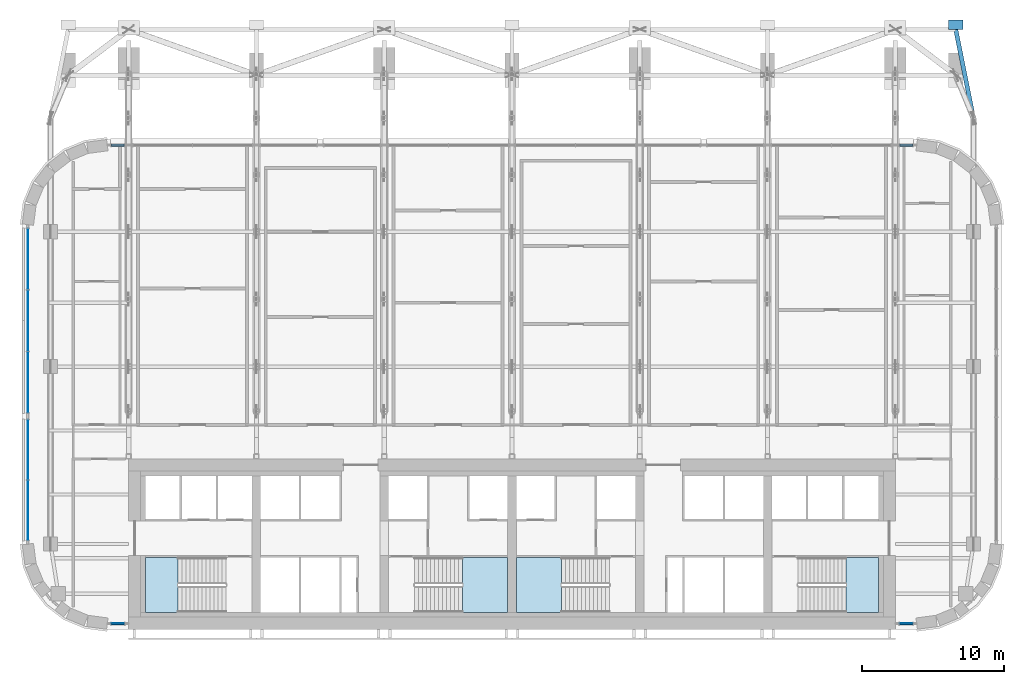
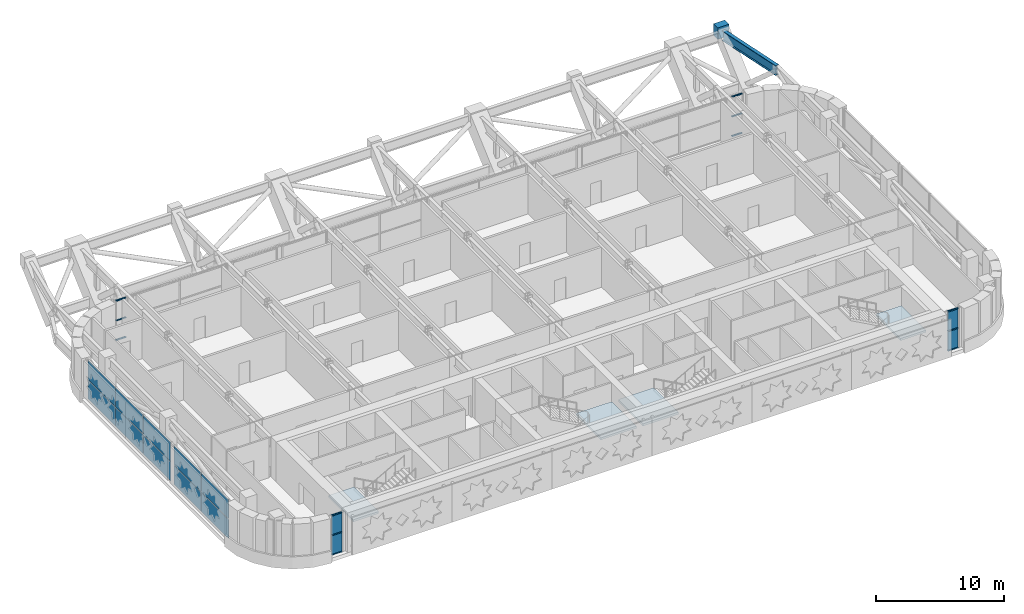
# One storey, part 10 of 23: 14 plates, 13 members, 4 slabs, 1 beam, 10 elements without a shape of their own.
"""IFC4 building model written with IfcOpenShell, lengths in metres."""

from ifc_helpers import new_model, si_unit, direction, frame, origin, origin_2d, place, context, subcontext, project, spatial, polyline, rectangle, i_section, outline, extrude, material, layer, layer_set, material_profile, profile_set, type_object, element, aggregate, save


model = new_model("IFC4")

# Units and contexts
model_context = context("Model", 3, precision=1e-05, world=origin(), true_north=direction((0.0, 1.0)))
body_context = subcontext(model_context, "Body", "Model", "MODEL_VIEW")
ifc_project = project(units=[si_unit("LENGTHUNIT", "METRE"), si_unit("AREAUNIT", "SQUARE_METRE"), si_unit("VOLUMEUNIT", "CUBIC_METRE"), si_unit("PLANEANGLEUNIT", "RADIAN"), si_unit("MASSUNIT", "GRAM", prefix="KILO")], contexts=[model_context])

# Site, building, storey
site_placement = place(None, origin())
site = spatial("IfcSite", under=ifc_project, at=site_placement, CompositionType="ELEMENT")
building_placement = place(site_placement, origin())
building = spatial("IfcBuilding", under=site, at=building_placement, Name="Zellij Exchange Tower", CompositionType="ELEMENT")
storey_placement = place(building_placement, frame((0.0, 0.0, 160.5)))
storey = spatial("IfcBuildingStorey", under=building, at=storey_placement, Name="L36", CompositionType="ELEMENT", Elevation=160.5)

# Curtain wall, members
ifc_material_1 = material(Name="Aluminium frame, clear insulating glass", Category="aluminium")
curtain_wall_type = type_object("IfcCurtainWallType", Name="ENV-CW2 Outrigger-storey glazing", PredefinedType="NOTDEFINED", material=ifc_material_1)
curtain_wall_1_placement = place(storey_placement, origin())
curtain_wall_1 = element("IfcCurtainWall", 1, at=curtain_wall_1_placement, inside=storey, type_object=curtain_wall_type, Name="cw.L36.00a", PredefinedType="NOTDEFINED")
ifc_material_2 = material(Name="Aluminium", Category="aluminium")
ifc_material_profile_1 = material_profile(ifc_material_2, rectangle(XDim=0.139892578125, YDim=0.06005859375, at=origin_2d()), Name="AL 140x60")
ifc_profile_set_1 = profile_set([ifc_material_profile_1], Name="Aluminium")
member_type_1 = type_object("IfcMemberType", Name="ENV-CW2T Transom 140x60", PredefinedType="USERDEFINED", material=ifc_profile_set_1)
member_1_placement = place(storey_placement, frame((-28.2138671875, -13.60009765625, 0.030029296875), z_axis=(1.0, 0.0, 0.0), x_axis=(0.0, 1.0, 0.0)))
member_1 = element("IfcMember", 2, at=member_1_placement, type_object=member_type_1, Name="CW2 transom 1.1", ObjectType="TRANSOM", PredefinedType="USERDEFINED", context=body_context, shape_type="SweptSolid", body=[
    extrude(rectangle(XDim=0.139892578125, YDim=0.06005859375, at=origin_2d()), origin(), (0.0, 0.0, 1.0), 0.90380859375),
])
member_2_placement = place(storey_placement, frame((-28.2138671875, -13.60009765625, 1.89990234375), z_axis=(1.0, 0.0, 0.0), x_axis=(0.0, 1.0, 0.0)))
member_2 = element("IfcMember", 3, at=member_2_placement, type_object=member_type_1, Name="CW2 transom 1.2", ObjectType="TRANSOM", PredefinedType="USERDEFINED", context=body_context, shape_type="SweptSolid", body=[
    extrude(rectangle(XDim=0.139892578125, YDim=0.06005859375, at=origin_2d()), origin(), (0.0, 0.0, 1.0), 0.90380859375),
])
member_3_placement = place(storey_placement, frame((-28.2138671875, -13.60009765625, 3.77001953125), z_axis=(1.0, 0.0, 0.0), x_axis=(0.0, 1.0, 0.0)))
member_3 = element("IfcMember", 4, at=member_3_placement, type_object=member_type_1, Name="CW2 transom 1.3", ObjectType="TRANSOM", PredefinedType="USERDEFINED", context=body_context, shape_type="SweptSolid", body=[
    extrude(rectangle(XDim=0.139892578125, YDim=0.06005859375, at=origin_2d()), origin(), (0.0, 0.0, 1.0), 0.90380859375),
])

curtain_wall_2_placement = place(storey_placement, origin())
curtain_wall_2 = element("IfcCurtainWall", 5, at=curtain_wall_2_placement, inside=storey, type_object=curtain_wall_type, Name="cw.L36.00b", PredefinedType="NOTDEFINED")
member_4_placement = place(storey_placement, frame((27.31005859375, -13.60009765625, 0.030029296875), z_axis=(1.0, 0.0, 0.0), x_axis=(0.0, 1.0, 0.0)))
member_4 = element("IfcMember", 6, at=member_4_placement, type_object=member_type_1, Name="CW2 transom 1.1", ObjectType="TRANSOM", PredefinedType="USERDEFINED", context=body_context, shape_type="SweptSolid", body=[
    extrude(rectangle(XDim=0.139892578125, YDim=0.06005859375, at=origin_2d()), origin(), (0.0, 0.0, 1.0), 0.90380859375),
])
member_5_placement = place(storey_placement, frame((27.31005859375, -13.60009765625, 1.89990234375), z_axis=(1.0, 0.0, 0.0), x_axis=(0.0, 1.0, 0.0)))
member_5 = element("IfcMember", 7, at=member_5_placement, type_object=member_type_1, Name="CW2 transom 1.2", ObjectType="TRANSOM", PredefinedType="USERDEFINED", context=body_context, shape_type="SweptSolid", body=[
    extrude(rectangle(XDim=0.139892578125, YDim=0.06005859375, at=origin_2d()), origin(), (0.0, 0.0, 1.0), 0.90380859375),
])
member_6_placement = place(storey_placement, frame((27.31005859375, -13.60009765625, 3.77001953125), z_axis=(1.0, 0.0, 0.0), x_axis=(0.0, 1.0, 0.0)))
member_6 = element("IfcMember", 8, at=member_6_placement, type_object=member_type_1, Name="CW2 transom 1.3", ObjectType="TRANSOM", PredefinedType="USERDEFINED", context=body_context, shape_type="SweptSolid", body=[
    extrude(rectangle(XDim=0.139892578125, YDim=0.06005859375, at=origin_2d()), origin(), (0.0, 0.0, 1.0), 0.90380859375),
])

curtain_wall_3_placement = place(storey_placement, origin())
curtain_wall_3 = element("IfcCurtainWall", 9, at=curtain_wall_3_placement, inside=storey, type_object=curtain_wall_type, Name="cw.L36.14a.a", PredefinedType="NOTDEFINED")
member_7_placement = place(storey_placement, frame((28.2138671875, 20.10009765625, 0.030029296875), z_axis=(-1.0, 0.0, 0.0), x_axis=(0.0, -1.0, 0.0)))
member_7 = element("IfcMember", 10, at=member_7_placement, type_object=member_type_1, Name="CW2 transom 1.1", ObjectType="TRANSOM", PredefinedType="USERDEFINED", context=body_context, shape_type="SweptSolid", body=[
    extrude(rectangle(XDim=0.139892578125, YDim=0.06005859375, at=origin_2d()), origin(), (0.0, 0.0, 1.0), 0.904052734375),
])
member_8_placement = place(storey_placement, frame((28.2138671875, 20.10009765625, 1.89990234375), z_axis=(-1.0, 0.0, 0.0), x_axis=(0.0, -1.0, 0.0)))
member_8 = element("IfcMember", 11, at=member_8_placement, type_object=member_type_1, Name="CW2 transom 1.2", ObjectType="TRANSOM", PredefinedType="USERDEFINED", context=body_context, shape_type="SweptSolid", body=[
    extrude(rectangle(XDim=0.139892578125, YDim=0.06005859375, at=origin_2d()), origin(), (0.0, 0.0, 1.0), 0.904052734375),
])
member_9_placement = place(storey_placement, frame((28.2138671875, 20.10009765625, 3.77001953125), z_axis=(-1.0, 0.0, 0.0), x_axis=(0.0, -1.0, 0.0)))
member_9 = element("IfcMember", 12, at=member_9_placement, type_object=member_type_1, Name="CW2 transom 1.3", ObjectType="TRANSOM", PredefinedType="USERDEFINED", context=body_context, shape_type="SweptSolid", body=[
    extrude(rectangle(XDim=0.139892578125, YDim=0.06005859375, at=origin_2d()), origin(), (0.0, 0.0, 1.0), 0.904052734375),
])
aggregate(curtain_wall_3, [member_7, member_8, member_9])

curtain_wall_4_placement = place(storey_placement, origin())
curtain_wall_4 = element("IfcCurtainWall", 13, at=curtain_wall_4_placement, inside=storey, type_object=curtain_wall_type, Name="cw.L36.14d.c", PredefinedType="NOTDEFINED")
member_10_placement = place(storey_placement, frame((-27.309814453125, 20.10009765625, 0.030029296875), z_axis=(-1.0, 0.0, 0.0), x_axis=(0.0, -1.0, 0.0)))
member_10 = element("IfcMember", 14, at=member_10_placement, type_object=member_type_1, Name="CW2 transom 1.1", ObjectType="TRANSOM", PredefinedType="USERDEFINED", context=body_context, shape_type="SweptSolid", body=[
    extrude(rectangle(XDim=0.139892578125, YDim=0.06005859375, at=origin_2d()), origin(), (0.0, 0.0, 1.0), 0.904052734375),
])
member_11_placement = place(storey_placement, frame((-27.309814453125, 20.10009765625, 1.89990234375), z_axis=(-1.0, 0.0, 0.0), x_axis=(0.0, -1.0, 0.0)))
member_11 = element("IfcMember", 15, at=member_11_placement, type_object=member_type_1, Name="CW2 transom 1.2", ObjectType="TRANSOM", PredefinedType="USERDEFINED", context=body_context, shape_type="SweptSolid", body=[
    extrude(rectangle(XDim=0.139892578125, YDim=0.06005859375, at=origin_2d()), origin(), (0.0, 0.0, 1.0), 0.904052734375),
])
member_12_placement = place(storey_placement, frame((-27.309814453125, 20.10009765625, 3.77001953125), z_axis=(-1.0, 0.0, 0.0), x_axis=(0.0, -1.0, 0.0)))
member_12 = element("IfcMember", 16, at=member_12_placement, type_object=member_type_1, Name="CW2 transom 1.3", ObjectType="TRANSOM", PredefinedType="USERDEFINED", context=body_context, shape_type="SweptSolid", body=[
    extrude(rectangle(XDim=0.139892578125, YDim=0.06005859375, at=origin_2d()), origin(), (0.0, 0.0, 1.0), 0.904052734375),
])
aggregate(curtain_wall_4, [member_10, member_11, member_12])

# Member
ifc_material_3 = material(Name="Structural steel ASTM A992 Gr 50", Category="steel")
ifc_material_profile_2 = material_profile(ifc_material_3, i_section(OverallWidth=0.307373046875, OverallDepth=0.9423828125, WebThickness=0.022216796875, FlangeThickness=0.039794921875, at=origin_2d()), Name="W36x232")
ifc_profile_set_2 = profile_set([ifc_material_profile_2], Name="Structural steel ASTM A992 Gr 50")
member_type_2 = type_object("IfcMemberType", Name="STR-BELT TRUSS CHORD W36x232", PredefinedType="CHORD", material=ifc_profile_set_2)
member_13_placement = place(storey_placement, frame((32.5, 22.0, 3.328857421875), z_axis=(-0.19627094376, 0.980549701257, 0.0), x_axis=(-0.980549701257, -0.19627094376, 0.0)))
element("IfcMember", 17, at=member_13_placement, inside=storey, type_object=member_type_2, Name="BT1", PredefinedType="CHORD", context=body_context, shape_type="SweptSolid", body=[
    extrude(i_section(OverallWidth=0.307373046875, OverallDepth=0.9423828125, WebThickness=0.022216796875, FlangeThickness=0.039794921875, at=origin_2d()), origin(), (0.0, 0.0, 1.0), 6.36865234375),
])

# Beam
ifc_material_4 = material(Name="Concrete C60/75", Category="concrete")
ifc_material_profile_3 = material_profile(ifc_material_4, rectangle(XDim=1.0, YDim=1.10009765625, at=origin_2d()), Name="STR-KNUCKLE BLOCK RC1000x1100 C60/75")
ifc_profile_set_3 = profile_set([ifc_material_profile_3], Name="Concrete C60/75")
beam_type = type_object("IfcBeamType", Name="STR-KNUCKLE BLOCK RC1000x1100 C60/75", PredefinedType="BEAM", material=ifc_profile_set_3)
beam_placement = place(storey_placement, frame((31.25, 28.247314453125, 3.625), z_axis=(0.0, 1.0, 0.0), x_axis=(-1.0, 0.0, 0.0)))
element("IfcBeam", 18, at=beam_placement, inside=storey, type_object=beam_type, Name="KB3", PredefinedType="BEAM", context=body_context, shape_type="SweptSolid", body=[
    extrude(rectangle(XDim=1.0, YDim=1.10009765625, at=origin_2d()), origin(), (0.0, 0.0, 1.0), 0.66455078125),
])

# Stair, slab
ifc_material_5 = material(Name="Concrete C40/50", Category="concrete")
stair_type = type_object("IfcStairType", Name="CORE-ST exit stair 1850 wide", PredefinedType="HALF_TURN_STAIR", material=ifc_material_5)
stair_1_placement = place(storey_placement, origin())
stair_1 = element("IfcStair", 19, at=stair_1_placement, inside=storey, type_object=stair_type, Name="L36 exit stair ST1", PredefinedType="HALF_TURN_STAIR")
ifc_layer_1 = layer(ifc_material_5, 0.199951171875)
ifc_layer_set_1 = layer_set([ifc_layer_1], Name="Concrete C40/50")
slab_type = type_object("IfcSlabType", Name="CORE-SL stair landing 200", PredefinedType="LANDING", material=ifc_layer_set_1)
slab_1_placement = place(storey_placement, frame((0.0, 0.0, 1.800048828125)))
slab_1 = element("IfcSlab", 20, at=slab_1_placement, type_object=slab_type, Name="ST1 landing 1", PredefinedType="LANDING", context=body_context, shape_type="SweptSolid", body=[
    extrude(outline(polyline([(-23.510009765625, -8.949951171875), (-25.800048828125, -8.949951171875), (-25.800048828125, -12.800048828125), (-23.510009765625, -12.800048828125), (-23.510009765625, -8.949951171875)])), origin(), (0.0, 0.0, 1.0), 0.199951171875),
])
aggregate(stair_1, [slab_1])

stair_2_placement = place(storey_placement, origin())
stair_2 = element("IfcStair", 21, at=stair_2_placement, inside=storey, type_object=stair_type, Name="L36 exit stair ST2", PredefinedType="HALF_TURN_STAIR")
slab_2_placement = place(storey_placement, frame((0.0, 0.0, 1.800048828125)))
slab_2 = element("IfcSlab", 22, at=slab_2_placement, type_object=slab_type, Name="ST2 landing 1", PredefinedType="LANDING", context=body_context, shape_type="SweptSolid", body=[
    extrude(outline(polyline([(-3.489990234375, -12.800048828125), (-0.300048828125, -12.800048828125), (-0.300048828125, -8.949951171875), (-3.489990234375, -8.949951171875), (-3.489990234375, -12.800048828125)])), origin(), (0.0, 0.0, 1.0), 0.199951171875),
])
aggregate(stair_2, [slab_2])

stair_3_placement = place(storey_placement, origin())
stair_3 = element("IfcStair", 23, at=stair_3_placement, inside=storey, type_object=stair_type, Name="L36 exit stair ST3", PredefinedType="HALF_TURN_STAIR")
slab_3_placement = place(storey_placement, frame((0.0, 0.0, 1.800048828125)))
slab_3 = element("IfcSlab", 24, at=slab_3_placement, type_object=slab_type, Name="ST3 landing 1", PredefinedType="LANDING", context=body_context, shape_type="SweptSolid", body=[
    extrude(outline(polyline([(3.489990234375, -8.949951171875), (0.300048828125, -8.949951171875), (0.300048828125, -12.800048828125), (3.489990234375, -12.800048828125), (3.489990234375, -8.949951171875)])), origin(), (0.0, 0.0, 1.0), 0.199951171875),
])
aggregate(stair_3, [slab_3])

stair_4_placement = place(storey_placement, origin())
stair_4 = element("IfcStair", 25, at=stair_4_placement, inside=storey, type_object=stair_type, Name="L36 exit stair ST4", PredefinedType="HALF_TURN_STAIR")
slab_4_placement = place(storey_placement, frame((0.0, 0.0, 1.800048828125)))
slab_4 = element("IfcSlab", 26, at=slab_4_placement, type_object=slab_type, Name="ST4 landing 1", PredefinedType="LANDING", context=body_context, shape_type="SweptSolid", body=[
    extrude(outline(polyline([(23.510009765625, -12.800048828125), (25.800048828125, -12.800048828125), (25.800048828125, -8.949951171875), (23.510009765625, -8.949951171875), (23.510009765625, -12.800048828125)])), origin(), (0.0, 0.0, 1.0), 0.199951171875),
])
aggregate(stair_4, [slab_4])

# Curtain wall, plates
curtain_wall_5_placement = place(storey_placement, origin())
curtain_wall_5 = element("IfcCurtainWall", 27, at=curtain_wall_5_placement, inside=storey, type_object=curtain_wall_type, Name="cw.L36.21a", PredefinedType="NOTDEFINED")
ifc_material_6 = material(Name="Aluminium louvre", Category="aluminium")
ifc_layer_2 = layer(ifc_material_6, 0.031982421875)
ifc_layer_set_2 = layer_set([ifc_layer_2], Name="Aluminium louvre")
plate_type_1 = type_object("IfcPlateType", Name="ENV-CW2L Louvred panel 32", PredefinedType="CURTAIN_PANEL", material=ifc_layer_set_2)
plate_1_placement = place(storey_placement, frame((-34.10009765625, 12.080810546875, 0.06005859375), z_axis=(0.0, 0.0, 1.0), x_axis=(0.0, -1.0, 0.0)))
plate_1 = element("IfcPlate", 28, at=plate_1_placement, type_object=plate_type_1, Name="CW2 panel 1.1", PredefinedType="CURTAIN_PANEL", context=body_context, shape_type="SweptSolid", body=[
    extrude(rectangle(XDim=4.26611328125, YDim=0.031982421875, at=origin_2d()), origin(), (0.0, 0.0, 1.0), 1.81005859375),
])
plate_2_placement = place(storey_placement, frame((-34.10009765625, 7.739501953125, 0.06005859375), z_axis=(0.0, 0.0, 1.0), x_axis=(0.0, -1.0, 0.0)))
plate_2 = element("IfcPlate", 29, at=plate_2_placement, type_object=plate_type_1, Name="CW2 panel 2.1", PredefinedType="CURTAIN_PANEL", context=body_context, shape_type="SweptSolid", body=[
    extrude(rectangle(XDim=4.296142578125, YDim=0.031982421875, at=origin_2d()), origin(), (0.0, 0.0, 1.0), 1.81005859375),
])
plate_3_placement = place(storey_placement, frame((-34.10009765625, 7.739501953125, 1.929931640625), z_axis=(0.0, 0.0, 1.0), x_axis=(0.0, -1.0, 0.0)))
plate_3 = element("IfcPlate", 30, at=plate_3_placement, type_object=plate_type_1, Name="CW2 panel 2.2", PredefinedType="CURTAIN_PANEL", context=body_context, shape_type="SweptSolid", body=[
    extrude(rectangle(XDim=4.296142578125, YDim=0.031982421875, at=origin_2d()), origin(), (0.0, 0.0, 1.0), 1.81005859375),
])
plate_4_placement = place(storey_placement, frame((-34.10009765625, 3.3984375, 1.929931640625), z_axis=(0.0, 0.0, 1.0), x_axis=(0.0, -1.0, 0.0)))
plate_4 = element("IfcPlate", 31, at=plate_4_placement, type_object=plate_type_1, Name="CW2 panel 3.2", PredefinedType="CURTAIN_PANEL", context=body_context, shape_type="SweptSolid", body=[
    extrude(rectangle(XDim=4.26611328125, YDim=0.031982421875, at=origin_2d()), origin(), (0.0, 0.0, 1.0), 1.81005859375),
])

curtain_wall_6_placement = place(storey_placement, origin())
curtain_wall_6 = element("IfcCurtainWall", 32, at=curtain_wall_6_placement, inside=storey, type_object=curtain_wall_type, Name="cw.L36.21b", PredefinedType="NOTDEFINED")
plate_5_placement = place(storey_placement, frame((-34.10009765625, -1.3544921875, 0.06005859375), z_axis=(0.0, 0.0, 1.0), x_axis=(0.0, -1.0, 0.0)))
plate_5 = element("IfcPlate", 33, at=plate_5_placement, type_object=plate_type_1, Name="CW2 panel 1.1", PredefinedType="CURTAIN_PANEL", context=body_context, shape_type="SweptSolid", body=[
    extrude(rectangle(XDim=4.199462890625, YDim=0.031982421875, at=origin_2d()), origin(), (0.0, 0.0, 1.0), 1.81005859375),
])
plate_6_placement = place(storey_placement, frame((-34.10009765625, -1.3544921875, 1.929931640625), z_axis=(0.0, 0.0, 1.0), x_axis=(0.0, -1.0, 0.0)))
plate_6 = element("IfcPlate", 34, at=plate_6_placement, type_object=plate_type_1, Name="CW2 panel 1.2", PredefinedType="CURTAIN_PANEL", context=body_context, shape_type="SweptSolid", body=[
    extrude(rectangle(XDim=4.199462890625, YDim=0.031982421875, at=origin_2d()), origin(), (0.0, 0.0, 1.0), 1.81005859375),
])
plate_7_placement = place(storey_placement, frame((-34.10009765625, -5.614013671875, 0.06005859375), z_axis=(0.0, 0.0, 1.0), x_axis=(0.0, -1.0, 0.0)))
plate_7 = element("IfcPlate", 35, at=plate_7_placement, type_object=plate_type_1, Name="CW2 panel 2.1", PredefinedType="CURTAIN_PANEL", context=body_context, shape_type="SweptSolid", body=[
    extrude(rectangle(XDim=4.199462890625, YDim=0.031982421875, at=origin_2d()), origin(), (0.0, 0.0, 1.0), 1.81005859375),
])

# Plate
ifc_material_7 = material(Name="Insulating glass unit, clear", Category="glass")
ifc_layer_3 = layer(ifc_material_7, 0.031982421875)
ifc_layer_set_3 = layer_set([ifc_layer_3], Name="Insulating glass unit, clear")
plate_type_2 = type_object("IfcPlateType", Name="ENV-CW2P Glazed panel 32", PredefinedType="CURTAIN_PANEL", material=ifc_layer_set_3)
plate_8_placement = place(storey_placement, frame((-27.761962890625, -13.60009765625, 0.06005859375), z_axis=(0.0, 0.0, 1.0), x_axis=(1.0, 0.0, 0.0)))
plate_8 = element("IfcPlate", 36, at=plate_8_placement, type_object=plate_type_2, Name="CW2 panel 1.1", PredefinedType="CURTAIN_PANEL", context=body_context, shape_type="SweptSolid", body=[
    extrude(rectangle(XDim=0.90380859375, YDim=0.031982421875, at=origin_2d()), origin(), (0.0, 0.0, 1.0), 1.81005859375),
])

plate_9_placement = place(storey_placement, frame((-27.761962890625, -13.60009765625, 1.929931640625), z_axis=(0.0, 0.0, 1.0), x_axis=(1.0, 0.0, 0.0)))
plate_9 = element("IfcPlate", 37, at=plate_9_placement, type_object=plate_type_2, Name="CW2 panel 1.2", PredefinedType="CURTAIN_PANEL", context=body_context, shape_type="SweptSolid", body=[
    extrude(rectangle(XDim=0.90380859375, YDim=0.031982421875, at=origin_2d()), origin(), (0.0, 0.0, 1.0), 1.81005859375),
])

aggregate(curtain_wall_1, [member_1, member_2, member_3, plate_8, plate_9])

plate_10_placement = place(storey_placement, frame((27.761962890625, -13.60009765625, 0.06005859375), z_axis=(0.0, 0.0, 1.0), x_axis=(1.0, 0.0, 0.0)))
plate_10 = element("IfcPlate", 38, at=plate_10_placement, type_object=plate_type_2, Name="CW2 panel 1.1", PredefinedType="CURTAIN_PANEL", context=body_context, shape_type="SweptSolid", body=[
    extrude(rectangle(XDim=0.90380859375, YDim=0.031982421875, at=origin_2d()), origin(), (0.0, 0.0, 1.0), 1.81005859375),
])

plate_11_placement = place(storey_placement, frame((27.761962890625, -13.60009765625, 1.929931640625), z_axis=(0.0, 0.0, 1.0), x_axis=(1.0, 0.0, 0.0)))
plate_11 = element("IfcPlate", 39, at=plate_11_placement, type_object=plate_type_2, Name="CW2 panel 1.2", PredefinedType="CURTAIN_PANEL", context=body_context, shape_type="SweptSolid", body=[
    extrude(rectangle(XDim=0.90380859375, YDim=0.031982421875, at=origin_2d()), origin(), (0.0, 0.0, 1.0), 1.81005859375),
])

aggregate(curtain_wall_2, [member_4, member_5, member_6, plate_10, plate_11])

plate_12_placement = place(storey_placement, frame((-34.10009765625, 12.080810546875, 1.929931640625), z_axis=(0.0, 0.0, 1.0), x_axis=(0.0, -1.0, 0.0)))
plate_12 = element("IfcPlate", 40, at=plate_12_placement, type_object=plate_type_2, Name="CW2 panel 1.2", PredefinedType="CURTAIN_PANEL", context=body_context, shape_type="SweptSolid", body=[
    extrude(rectangle(XDim=4.26611328125, YDim=0.031982421875, at=origin_2d()), origin(), (0.0, 0.0, 1.0), 1.81005859375),
])

plate_13_placement = place(storey_placement, frame((-34.10009765625, 3.3984375, 0.06005859375), z_axis=(0.0, 0.0, 1.0), x_axis=(0.0, -1.0, 0.0)))
plate_13 = element("IfcPlate", 41, at=plate_13_placement, type_object=plate_type_2, Name="CW2 panel 3.1", PredefinedType="CURTAIN_PANEL", context=body_context, shape_type="SweptSolid", body=[
    extrude(rectangle(XDim=4.26611328125, YDim=0.031982421875, at=origin_2d()), origin(), (0.0, 0.0, 1.0), 1.81005859375),
])

aggregate(curtain_wall_5, [plate_1, plate_12, plate_2, plate_3, plate_13, plate_4])

plate_14_placement = place(storey_placement, frame((-34.10009765625, -5.614013671875, 1.929931640625), z_axis=(0.0, 0.0, 1.0), x_axis=(0.0, -1.0, 0.0)))
plate_14 = element("IfcPlate", 42, at=plate_14_placement, type_object=plate_type_2, Name="CW2 panel 2.2", PredefinedType="CURTAIN_PANEL", context=body_context, shape_type="SweptSolid", body=[
    extrude(rectangle(XDim=4.199462890625, YDim=0.031982421875, at=origin_2d()), origin(), (0.0, 0.0, 1.0), 1.81005859375),
])

aggregate(curtain_wall_6, [plate_5, plate_6, plate_7, plate_14])

save(model, "model.ifc")
